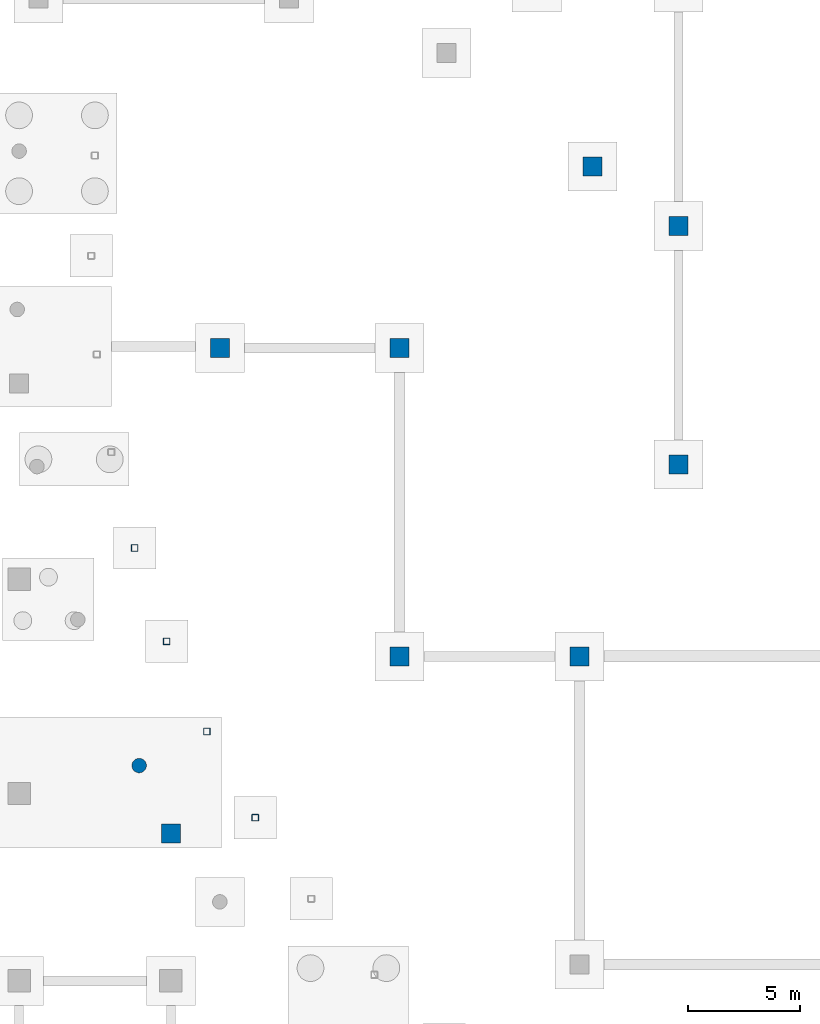
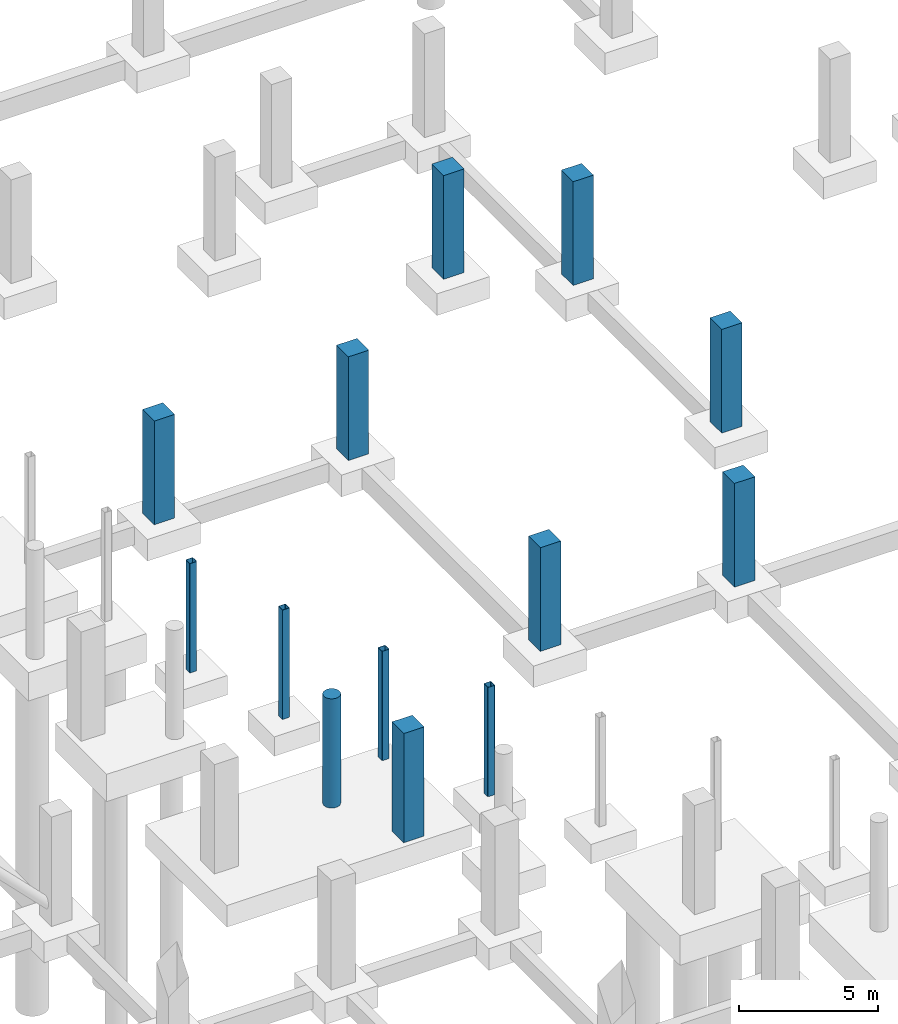
# One storey, part 11 of 44: 13 columns.
"""IFC4 building model written with IfcOpenShell, lengths in metres."""

from ifc_helpers import new_model, si_unit, direction, frame, origin, origin_2d, place, context, subcontext, project, spatial, rectangle, hollow_rectangle, circle, extrude, material, material_profile, profile_set, type_object, element, save


model = new_model("IFC4")

# Units and contexts
model_context = context("Model", 3, precision=1e-05, world=origin(), true_north=direction((0.0, 1.0)))
body_context = subcontext(model_context, "Body", "Model", "MODEL_VIEW")
ifc_project = project(units=[si_unit("LENGTHUNIT", "METRE"), si_unit("AREAUNIT", "SQUARE_METRE"), si_unit("VOLUMEUNIT", "CUBIC_METRE"), si_unit("PLANEANGLEUNIT", "RADIAN"), si_unit("MASSUNIT", "GRAM", prefix="KILO")], contexts=[model_context])

# Site, building, storey
site_placement = place(None, origin())
site = spatial("IfcSite", under=ifc_project, at=site_placement, CompositionType="ELEMENT")
building_placement = place(site_placement, origin())
building = spatial("IfcBuilding", under=site, at=building_placement, Name="Kisaragi Civic Commons", CompositionType="ELEMENT")
storey_placement = place(building_placement, frame((0.0, 0.0, -4.800048828125)))
storey = spatial("IfcBuildingStorey", under=building, at=storey_placement, Name="B1", CompositionType="ELEMENT", Elevation=-4.800048828125)

# Columns
ifc_material_1 = material(Name="Concrete Fc36", Category="concrete")
ifc_material_profile_1 = material_profile(ifc_material_1, rectangle(XDim=0.85009765625, YDim=0.85009765625, at=origin_2d()), Name="RC-850x850", Category="concrete")
ifc_profile_set_1 = profile_set([ifc_material_profile_1], Name="Concrete Fc36")
column_type_1 = type_object("IfcColumnType", Name="C-01", PredefinedType="COLUMN", material=ifc_profile_set_1)
for number, where, z_axis, x_axis, name in (
    (1, (36.19970703125, 53.573974609375, 0.0), (0.0, 0.0, 1.0), (1.0, 0.0, 0.0), "B1 column C-01 (36.2,53.6)"),
    (2, (44.25830078125, 39.75, 0.0), (0.0, 0.0, 1.0), (1.0, 0.0, 0.0), "B1 column C-01 (44.3,39.8)"),
    (3, (44.25830078125, 53.573974609375, 0.0), (0.0, 0.0, 1.0), (1.0, 0.0, 0.0), "B1 column C-01 (44.3,53.6)"),
    (4, (52.31689453125, 39.75, 0.0), (0.0, 0.0, 1.0), (1.0, 0.0, 0.0), "B1 column C-01 (52.3,39.8)"),
    (5, (52.913818359375, 61.704345703125, 0.0), (0.0, 0.0, 1.0), (1.0, 0.0, 0.0), "B1 column C-01 (52.9,61.7)"),
    (6, (56.754150390625, 48.34619140625, 0.0), (0.0, 0.0, 1.0), (1.0, 0.0, 0.0), "B1 column C-01 (56.8,48.3)"),
    (7, (56.754150390625, 59.0419921875, 0.0), (0.0, 0.0, 1.0), (1.0, 0.0, 0.0), "B1 column C-01 (56.8,59.0)"),
):
    element("IfcColumn", number, at=place(storey_placement, frame(where, z_axis=z_axis, x_axis=x_axis)), inside=storey, type_object=column_type_1, Name=name, PredefinedType="COLUMN", context=body_context, shape_type="SweptSolid", body=[
        extrude(rectangle(XDim=0.85009765625, YDim=0.85009765625, at=origin_2d()), origin(), (0.0, 0.0, 1.0), 4.554931640625),
    ])
ifc_material_profile_2 = material_profile(ifc_material_1, rectangle(XDim=0.85009765625, YDim=0.85009765625, at=origin_2d()), Name="RC-850x850", Category="concrete")
ifc_profile_set_2 = profile_set([ifc_material_profile_2], Name="Concrete Fc36")
column_type_2 = type_object("IfcColumnType", Name="C-05", PredefinedType="COLUMN", material=ifc_profile_set_2)
column_1_placement = place(storey_placement, frame((34.0, 31.811279296875, 0.0), z_axis=(0.0, 0.0, 1.0), x_axis=(1.0, 0.0, 0.0)))
element("IfcColumn", 8, at=column_1_placement, inside=storey, type_object=column_type_2, Name="B1 column C-05 (34.0,31.8)", PredefinedType="COLUMN", context=body_context, shape_type="SweptSolid", body=[
    extrude(rectangle(XDim=0.85009765625, YDim=0.85009765625, at=origin_2d()), origin(), (0.0, 0.0, 1.0), 4.800048828125),
])
ifc_material_2 = material(Name="Concrete Fc30", Category="concrete")
ifc_material_profile_3 = material_profile(ifc_material_2, circle(Radius=0.324951171875, at=origin_2d()), Name="RC-D650", Category="concrete")
ifc_profile_set_3 = profile_set([ifc_material_profile_3], Name="Concrete Fc30")
column_type_3 = type_object("IfcColumnType", Name="C-12", PredefinedType="COLUMN", material=ifc_profile_set_3)
column_2_placement = place(storey_placement, frame((32.581787109375, 34.8505859375, 0.0), z_axis=(0.0, 0.0, 1.0), x_axis=(1.0, 0.0, 0.0)))
element("IfcColumn", 9, at=column_2_placement, inside=storey, type_object=column_type_3, Name="B1 column C-12 (32.6,34.9)", PredefinedType="COLUMN", context=body_context, shape_type="SweptSolid", body=[
    extrude(circle(Radius=0.324951171875, at=origin_2d()), origin(), (0.0, 0.0, 1.0), 4.800048828125),
])
ifc_material_3 = material(Name="Steel BCR295", Category="steel")
ifc_material_profile_4 = material_profile(ifc_material_3, hollow_rectangle(XDim=0.300048828125, YDim=0.300048828125, WallThickness=0.012939453125, InnerFilletRadius=0.012939453125, OuterFilletRadius=0.02587890625, at=origin_2d()), Name="BCR-300x300x13", Category="steel")
ifc_profile_set_4 = profile_set([ifc_material_profile_4], Name="Steel BCR295")
column_type_4 = type_object("IfcColumnType", Name="C-15", PredefinedType="COLUMN", material=ifc_profile_set_4)
for number, where, z_axis, x_axis, name in (
    (10, (32.379150390625, 44.6064453125, 0.0), (0.0, 0.0, 1.0), (1.0, 0.0, 0.0), "B1 column C-15 (32.4,44.6)"),
    (11, (33.8115234375, 40.4189453125, 0.0), (0.0, 0.0, 1.0), (1.0, 0.0, 0.0), "B1 column C-15 (33.8,40.4)"),
    (12, (35.618896484375, 36.37890625, 0.0), (0.0, 0.0, 1.0), (1.0, 0.0, 0.0), "B1 column C-15 (35.6,36.4)"),
    (13, (37.7861328125, 32.52001953125, 0.0), (0.0, 0.0, 1.0), (1.0, 0.0, 0.0), "B1 column C-15 (37.8,32.5)"),
):
    element("IfcColumn", number, at=place(storey_placement, frame(where, z_axis=z_axis, x_axis=x_axis)), inside=storey, type_object=column_type_4, Name=name, PredefinedType="COLUMN", context=body_context, shape_type="SweptSolid", body=[
        extrude(hollow_rectangle(XDim=0.300048828125, YDim=0.300048828125, WallThickness=0.012939453125, InnerFilletRadius=0.012939453125, OuterFilletRadius=0.02587890625, at=origin_2d()), origin(), (0.0, 0.0, 1.0), 4.800048828125),
    ])

save(model, "model.ifc")
